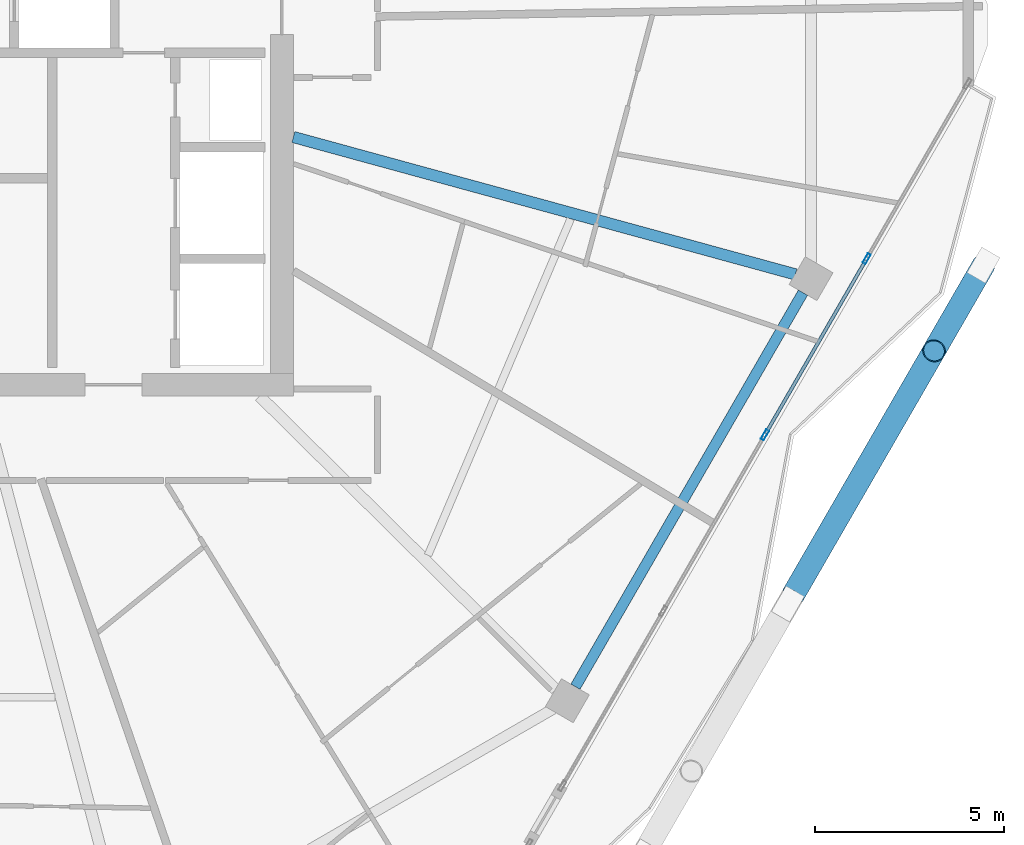
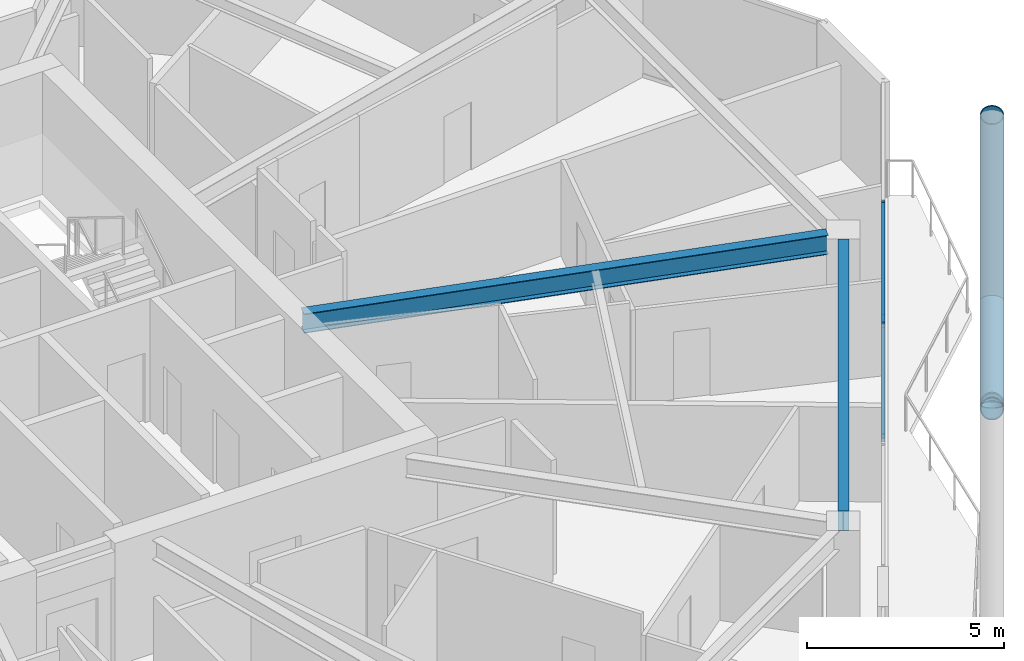
# One storey, part 10 of 29: 6 members, 2 beams, 1 element without a shape of its own.
"""IFC4 building model written with IfcOpenShell, lengths in metres."""

from ifc_helpers import new_model, si_unit, direction, frame, origin, origin_2d, place, context, subcontext, project, spatial, hollow_rectangle, hollow_circle, i_section, extrude, material, material_profile, profile_set, type_object, element, aggregate, save


model = new_model("IFC4")

# Units and contexts
model_context = context("Model", 3, precision=1e-05, world=origin(), true_north=direction((0.0, 1.0)))
body_context = subcontext(model_context, "Body", "Model", "MODEL_VIEW")
ifc_project = project(units=[si_unit("LENGTHUNIT", "METRE"), si_unit("AREAUNIT", "SQUARE_METRE"), si_unit("VOLUMEUNIT", "CUBIC_METRE"), si_unit("PLANEANGLEUNIT", "RADIAN"), si_unit("MASSUNIT", "GRAM", prefix="KILO")], contexts=[model_context])

# Site, building, storey
site_placement = place(None, origin())
site = spatial("IfcSite", under=ifc_project, at=site_placement, CompositionType="ELEMENT")
building_placement = place(site_placement, origin())
building = spatial("IfcBuilding", under=site, at=building_placement, Name="Zuhravey Tower", CompositionType="ELEMENT")
storey_placement = place(building_placement, frame((0.0, 0.0, 292.0)))
storey = spatial("IfcBuildingStorey", under=building, at=storey_placement, Name="L74", CompositionType="ELEMENT", Elevation=292.0)

# Curtain wall, members
ifc_material_1 = material(Name="Thermally broken anodised aluminium", Category="aluminium")
curtain_wall_type = type_object("IfcCurtainWallType", Name="Zone 3-4 High-Rise Curtain Wall CW4", PredefinedType="NOTDEFINED", material=ifc_material_1)
curtain_wall_placement = place(storey_placement, origin())
curtain_wall = element("IfcCurtainWall", 1, at=curtain_wall_placement, inside=storey, type_object=curtain_wall_type, Name="L74 CW4 CW-L74-F6-1", PredefinedType="NOTDEFINED")
ifc_material_2 = material(Name="Anodised aluminium", Category="aluminium")
ifc_material_profile_1 = material_profile(ifc_material_2, hollow_rectangle(XDim=0.090087890625, YDim=0.284912109375, WallThickness=0.0048828125, at=origin_2d()), Name="ALU-RHS-90x285x5")
ifc_profile_set_1 = profile_set([ifc_material_profile_1], Name="Anodised aluminium")
member_type_1 = type_object("IfcMemberType", Name="Curtain-Wall Mullion 90x180", PredefinedType="MULLION", material=ifc_profile_set_1)
member_1_placement = place(storey_placement, frame((61.95556640625, 25.829345703125, 0.0), z_axis=(0.0, 0.0, 1.0), x_axis=(0.866025601635, -0.499999657313, 0.0)))
member_1 = element("IfcMember", 2, at=member_1_placement, type_object=member_type_1, Name="CW4 mullion 2", PredefinedType="MULLION", context=body_context, shape_type="SweptSolid", body=[
    extrude(hollow_rectangle(XDim=0.090087890625, YDim=0.284912109375, WallThickness=0.0048828125, at=origin_2d()), origin(), (0.0, 0.0, 1.0), 3.550048828125),
])
member_2_placement = place(storey_placement, frame((59.266357421875, 21.171142578125, 0.0), z_axis=(0.0, 0.0, 1.0), x_axis=(0.866025601635, -0.499999657313, 0.0)))
member_2 = element("IfcMember", 3, at=member_2_placement, type_object=member_type_1, Name="CW4 mullion 3", PredefinedType="MULLION", context=body_context, shape_type="SweptSolid", body=[
    extrude(hollow_rectangle(XDim=0.090087890625, YDim=0.284912109375, WallThickness=0.0048828125, at=origin_2d()), origin(), (0.0, 0.0, 1.0), 3.550048828125),
])
ifc_material_profile_2 = material_profile(ifc_material_2, hollow_rectangle(XDim=0.090087890625, YDim=0.14990234375, WallThickness=0.0048828125, at=origin_2d()), Name="ALU-RHS-90x150x5")
ifc_profile_set_2 = profile_set([ifc_material_profile_2], Name="Anodised aluminium")
member_type_2 = type_object("IfcMemberType", Name="Curtain-Wall Transom 90x150", PredefinedType="USERDEFINED", material=ifc_profile_set_2)
member_3_placement = place(storey_placement, frame((61.93310546875, 25.790283203125, 0.044921875), z_axis=(-0.499976858976, -0.866038763849, 0.0), x_axis=(0.866038763849, -0.499976858976, 0.0)))
member_3 = element("IfcMember", 4, at=member_3_placement, type_object=member_type_2, Name="CW4 transom 2.1", ObjectType="TRANSOM", PredefinedType="USERDEFINED", context=body_context, shape_type="SweptSolid", body=[
    extrude(hollow_rectangle(XDim=0.090087890625, YDim=0.14990234375, WallThickness=0.0048828125, at=origin_2d()), origin(), (0.0, 0.0, 1.0), 5.288818359375),
])
member_4_placement = place(storey_placement, frame((61.93310546875, 25.790283203125, 3.5048828125), z_axis=(-0.499976858976, -0.866038763849, 0.0), x_axis=(0.866038763849, -0.499976858976, 0.0)))
member_4 = element("IfcMember", 5, at=member_4_placement, type_object=member_type_2, Name="CW4 transom 2.2", ObjectType="TRANSOM", PredefinedType="USERDEFINED", context=body_context, shape_type="SweptSolid", body=[
    extrude(hollow_rectangle(XDim=0.090087890625, YDim=0.14990234375, WallThickness=0.0048828125, at=origin_2d()), origin(), (0.0, 0.0, 1.0), 5.288818359375),
])
aggregate(curtain_wall, [member_1, member_2, member_3, member_4])

# Members
ifc_material_3 = material(Name="Steel SM355", Category="steel")
ifc_material_profile_3 = material_profile(ifc_material_3, hollow_circle(Radius=0.3046875, WallThickness=0.028076171875, at=origin_2d()), Name="CHS-609.6x28")
ifc_profile_set_3 = profile_set([ifc_material_profile_3], Name="Steel SM355")
member_type_3 = type_object("IfcMemberType", Name="Exoskeleton Zone 3 Diagrid CHS610x28", PredefinedType="BRACE", material=ifc_profile_set_3)
member_5_placement = place(storey_placement, frame((65.040283203125, 25.652099609375, -0.446044921875), z_axis=(-0.163030622365, -0.282366718953, 0.945351813982), x_axis=(0.866017274468, -0.500014080125, 0.0)))
element("IfcMember", 6, at=member_5_placement, inside=storey, type_object=member_type_3, Name="L74 Face 6 Diagrid Brace 4", PredefinedType="BRACE", context=body_context, shape_type="SweptSolid", body=[
    extrude(hollow_circle(Radius=0.3046875, WallThickness=0.028076171875, at=origin_2d()), origin(), (0.0, 0.0, 1.0), 8.001220703125),
])
member_6_placement = place(storey_placement, frame((65.024169921875, 25.624267578125, -0.449951171875), z_axis=(-0.469318707533, -0.812860915854, 0.344959537101), x_axis=(0.866019296191, -0.500010578514, 0.0)))
element("IfcMember", 7, at=member_6_placement, inside=storey, type_object=member_type_3, Name="L74 Face 6 Split Diagrid Brace 3A", PredefinedType="BRACE", context=body_context, shape_type="SweptSolid", body=[
    extrude(hollow_circle(Radius=0.3046875, WallThickness=0.028076171875, at=origin_2d()), origin(), (0.0, 0.0, 1.0), 10.6796875),
])

# Beams
ifc_material_profile_4 = material_profile(ifc_material_3, i_section(OverallWidth=0.280029296875, OverallDepth=0.6201171875, WebThickness=0.011962890625, FlangeThickness=0.02001953125, at=origin_2d()), Name="H-620x280x12x20")
ifc_profile_set_4 = profile_set([ifc_material_profile_4], Name="Steel SM355")
beam_type_1 = type_object("IfcBeamType", Name="Perimeter Ring Beam H620x280", PredefinedType="BEAM", material=ifc_profile_set_4)
beam_1_placement = place(storey_placement, frame((54.257568359375, 14.515869140625, 3.239990234375), z_axis=(0.500005971936, 0.866021955858, 0.0), x_axis=(-0.866021955858, 0.500005971936, 0.0)))
element("IfcBeam", 8, at=beam_1_placement, inside=storey, type_object=beam_type_1, Name="L74 PB3 BM-L74-PB-11", PredefinedType="BEAM", context=body_context, shape_type="SweptSolid", body=[
    extrude(i_section(OverallWidth=0.280029296875, OverallDepth=0.6201171875, WebThickness=0.011962890625, FlangeThickness=0.02001953125, at=origin_2d()), origin(), (0.0, 0.0, 1.0), 12.025634765625),
])
ifc_material_profile_5 = material_profile(ifc_material_3, i_section(OverallWidth=0.300048828125, OverallDepth=0.60009765625, WebThickness=0.011962890625, FlangeThickness=0.02001953125, at=origin_2d()), Name="H-600x300x12x20")
ifc_profile_set_5 = profile_set([ifc_material_profile_5], Name="Steel SM355")
beam_type_2 = type_object("IfcBeamType", Name="Radial Primary Girder H600x300", PredefinedType="BEAM", material=ifc_profile_set_5)
beam_2_placement = place(storey_placement, frame((46.802978515625, 29.04443359375, 3.25), z_axis=(0.964549305009, -0.263902705947, 0.0), x_axis=(0.263902705947, 0.964549305009, 0.0)))
element("IfcBeam", 9, at=beam_2_placement, inside=storey, type_object=beam_type_2, Name="L74 RG3 BM-L74-RAD-12", PredefinedType="BEAM", context=body_context, shape_type="SweptSolid", body=[
    extrude(i_section(OverallWidth=0.300048828125, OverallDepth=0.60009765625, WebThickness=0.011962890625, FlangeThickness=0.02001953125, at=origin_2d()), origin(), (0.0, 0.0, 1.0), 13.756591796875),
])

save(model, "model.ifc")
